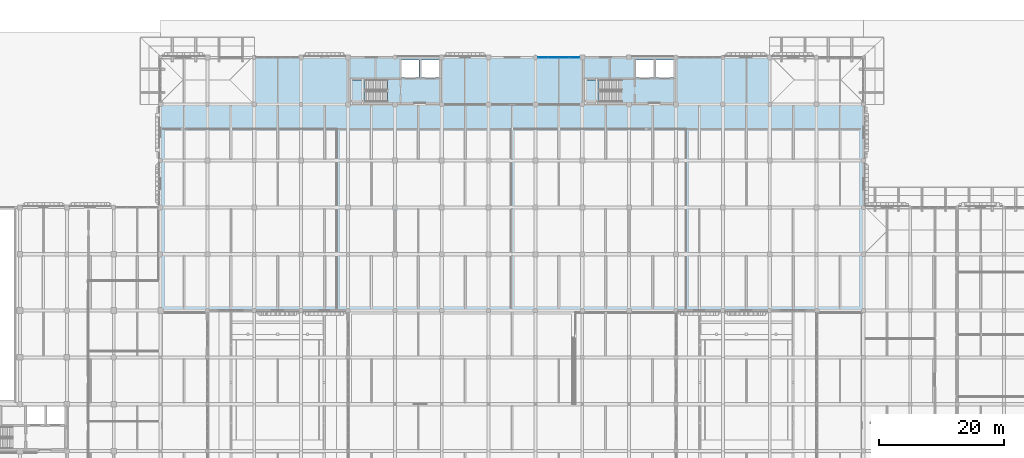
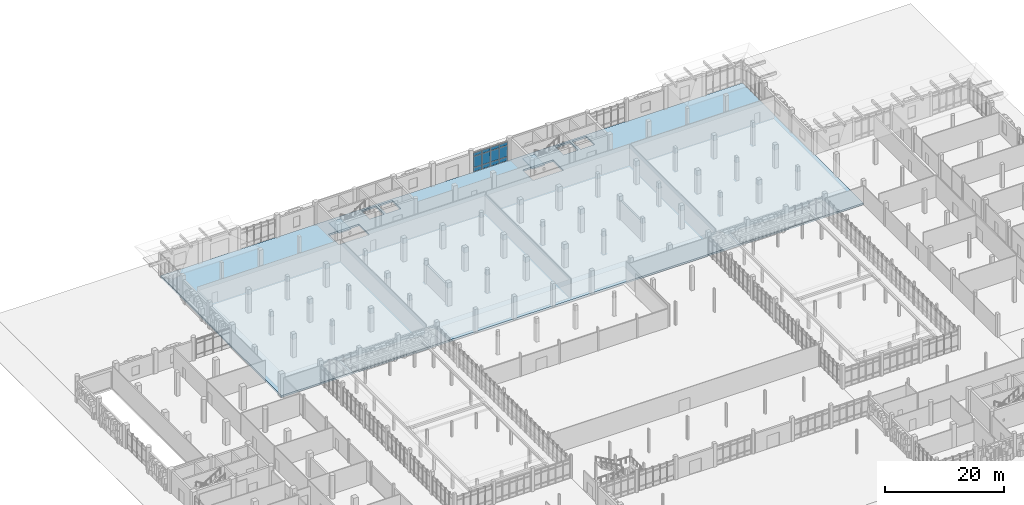
# One storey, part 80 of 125: 12 plates, 3 slabs, 3 elements without a shape of their own.
"""IFC4 building model written with IfcOpenShell, lengths in metres."""

from ifc_helpers import new_model, si_unit, direction, frame, origin, origin_2d, place, context, subcontext, project, spatial, polyline, rectangle, outline, extrude, material, layer, layer_set, type_object, element, aggregate, save


model = new_model("IFC4")

# Units and contexts
model_context = context("Model", 3, precision=1e-05, world=origin(), true_north=direction((0.0, 1.0)))
body_context = subcontext(model_context, "Body", "Model", "MODEL_VIEW")
ifc_project = project(units=[si_unit("LENGTHUNIT", "METRE"), si_unit("AREAUNIT", "SQUARE_METRE"), si_unit("VOLUMEUNIT", "CUBIC_METRE"), si_unit("PLANEANGLEUNIT", "RADIAN"), si_unit("MASSUNIT", "GRAM", prefix="KILO")], contexts=[model_context])

# Site, building, storey
site_placement = place(None, origin())
site = spatial("IfcSite", under=ifc_project, at=site_placement, CompositionType="ELEMENT")
building_placement = place(site_placement, origin())
building = spatial("IfcBuilding", under=site, at=building_placement, Name="Dalvernix Boulevard General Hospital", CompositionType="ELEMENT")
storey_placement = place(building_placement, origin())
storey = spatial("IfcBuildingStorey", under=building, at=storey_placement, Name="L00", CompositionType="ELEMENT", Elevation=0.0)

# Curtain wall, plates
ifc_material_1 = material(Name="Thermally broken aluminium and solar-control glass curtain wall", Category="aluminium")
ifc_layer_1 = layer(ifc_material_1, 0.159912109375)
ifc_layer_set_1 = layer_set([ifc_layer_1], Name="Thermally broken aluminium and solar-control glass curtain wall (CW-CW-A-67x40)")
curtain_wall_type = type_object("IfcCurtainWallType", Name="CW-CW-A-67x40", PredefinedType="USERDEFINED", material=ifc_layer_set_1)
curtain_wall_placement = place(storey_placement, origin())
curtain_wall = element("IfcCurtainWall", 1, at=curtain_wall_placement, inside=storey, type_object=curtain_wall_type, Name="L00 curtain wall CW-A-67x40 12-15", ObjectType="GLAZED FACADE", PredefinedType="USERDEFINED")
ifc_material_2 = material(Name="Double-glazed solar-control low-emissivity glass", Category="glass")
ifc_layer_2 = layer(ifc_material_2, 0.02392578125)
ifc_layer_set_2 = layer_set([ifc_layer_2], Name="Double-glazed solar-control low-emissivity glass (PLT-CW-P1)")
plate_type = type_object("IfcPlateType", Name="PLT-CW-P1", PredefinedType="CURTAIN_PANEL", material=ifc_layer_set_2)
plate_1_placement = place(storey_placement, frame((91.238037109375, 117.0, 0.06005859375), z_axis=(0.0, 0.0, 1.0), x_axis=(1.0, 0.0, 0.0)))
plate_1 = element("IfcPlate", 2, at=plate_1_placement, type_object=plate_type, Name="CW-A-67x40 panel 1.1", PredefinedType="CURTAIN_PANEL", context=body_context, shape_type="SweptSolid", body=[
    extrude(rectangle(XDim=1.586181640625, YDim=0.02392578125, at=origin_2d()), origin(), (0.0, 0.0, 1.0), 0.81005859375),
])
plate_2_placement = place(storey_placement, frame((91.238037109375, 117.0, 0.93017578125), z_axis=(0.0, 0.0, 1.0), x_axis=(1.0, 0.0, 0.0)))
plate_2 = element("IfcPlate", 3, at=plate_2_placement, type_object=plate_type, Name="CW-A-67x40 panel 1.2", PredefinedType="CURTAIN_PANEL", context=body_context, shape_type="SweptSolid", body=[
    extrude(rectangle(XDim=1.586181640625, YDim=0.02392578125, at=origin_2d()), origin(), (0.0, 0.0, 1.0), 2.239990234375),
])
plate_3_placement = place(storey_placement, frame((91.238037109375, 117.0, 3.22998046875), z_axis=(0.0, 0.0, 1.0), x_axis=(1.0, 0.0, 0.0)))
plate_3 = element("IfcPlate", 4, at=plate_3_placement, type_object=plate_type, Name="CW-A-67x40 panel 1.3", PredefinedType="CURTAIN_PANEL", context=body_context, shape_type="SweptSolid", body=[
    extrude(rectangle(XDim=1.586181640625, YDim=0.02392578125, at=origin_2d()), origin(), (0.0, 0.0, 1.0), 0.659912109375),
])
plate_4_placement = place(storey_placement, frame((92.8994140625, 117.0, 0.06005859375), z_axis=(0.0, 0.0, 1.0), x_axis=(1.0, 0.0, 0.0)))
plate_4 = element("IfcPlate", 5, at=plate_4_placement, type_object=plate_type, Name="CW-A-67x40 panel 2.1", PredefinedType="CURTAIN_PANEL", context=body_context, shape_type="SweptSolid", body=[
    extrude(rectangle(XDim=1.6162109375, YDim=0.02392578125, at=origin_2d()), origin(), (0.0, 0.0, 1.0), 0.81005859375),
])
plate_5_placement = place(storey_placement, frame((92.8994140625, 117.0, 0.93017578125), z_axis=(0.0, 0.0, 1.0), x_axis=(1.0, 0.0, 0.0)))
plate_5 = element("IfcPlate", 6, at=plate_5_placement, type_object=plate_type, Name="CW-A-67x40 panel 2.2", PredefinedType="CURTAIN_PANEL", context=body_context, shape_type="SweptSolid", body=[
    extrude(rectangle(XDim=1.6162109375, YDim=0.02392578125, at=origin_2d()), origin(), (0.0, 0.0, 1.0), 2.239990234375),
])
plate_6_placement = place(storey_placement, frame((92.8994140625, 117.0, 3.22998046875), z_axis=(0.0, 0.0, 1.0), x_axis=(1.0, 0.0, 0.0)))
plate_6 = element("IfcPlate", 7, at=plate_6_placement, type_object=plate_type, Name="CW-A-67x40 panel 2.3", PredefinedType="CURTAIN_PANEL", context=body_context, shape_type="SweptSolid", body=[
    extrude(rectangle(XDim=1.6162109375, YDim=0.02392578125, at=origin_2d()), origin(), (0.0, 0.0, 1.0), 0.659912109375),
])
plate_7_placement = place(storey_placement, frame((94.57568359375, 117.0, 0.06005859375), z_axis=(0.0, 0.0, 1.0), x_axis=(1.0, 0.0, 0.0)))
plate_7 = element("IfcPlate", 8, at=plate_7_placement, type_object=plate_type, Name="CW-A-67x40 panel 3.1", PredefinedType="CURTAIN_PANEL", context=body_context, shape_type="SweptSolid", body=[
    extrude(rectangle(XDim=1.6162109375, YDim=0.02392578125, at=origin_2d()), origin(), (0.0, 0.0, 1.0), 0.81005859375),
])
plate_8_placement = place(storey_placement, frame((94.57568359375, 117.0, 0.93017578125), z_axis=(0.0, 0.0, 1.0), x_axis=(1.0, 0.0, 0.0)))
plate_8 = element("IfcPlate", 9, at=plate_8_placement, type_object=plate_type, Name="CW-A-67x40 panel 3.2", PredefinedType="CURTAIN_PANEL", context=body_context, shape_type="SweptSolid", body=[
    extrude(rectangle(XDim=1.6162109375, YDim=0.02392578125, at=origin_2d()), origin(), (0.0, 0.0, 1.0), 2.239990234375),
])
plate_9_placement = place(storey_placement, frame((94.57568359375, 117.0, 3.22998046875), z_axis=(0.0, 0.0, 1.0), x_axis=(1.0, 0.0, 0.0)))
plate_9 = element("IfcPlate", 10, at=plate_9_placement, type_object=plate_type, Name="CW-A-67x40 panel 3.3", PredefinedType="CURTAIN_PANEL", context=body_context, shape_type="SweptSolid", body=[
    extrude(rectangle(XDim=1.6162109375, YDim=0.02392578125, at=origin_2d()), origin(), (0.0, 0.0, 1.0), 0.659912109375),
])
plate_10_placement = place(storey_placement, frame((96.23681640625, 117.0, 0.06005859375), z_axis=(0.0, 0.0, 1.0), x_axis=(1.0, 0.0, 0.0)))
plate_10 = element("IfcPlate", 11, at=plate_10_placement, type_object=plate_type, Name="CW-A-67x40 panel 4.1", PredefinedType="CURTAIN_PANEL", context=body_context, shape_type="SweptSolid", body=[
    extrude(rectangle(XDim=1.586181640625, YDim=0.02392578125, at=origin_2d()), origin(), (0.0, 0.0, 1.0), 0.81005859375),
])
plate_11_placement = place(storey_placement, frame((96.23681640625, 117.0, 0.93017578125), z_axis=(0.0, 0.0, 1.0), x_axis=(1.0, 0.0, 0.0)))
plate_11 = element("IfcPlate", 12, at=plate_11_placement, type_object=plate_type, Name="CW-A-67x40 panel 4.2", PredefinedType="CURTAIN_PANEL", context=body_context, shape_type="SweptSolid", body=[
    extrude(rectangle(XDim=1.586181640625, YDim=0.02392578125, at=origin_2d()), origin(), (0.0, 0.0, 1.0), 2.239990234375),
])
plate_12_placement = place(storey_placement, frame((96.23681640625, 117.0, 3.22998046875), z_axis=(0.0, 0.0, 1.0), x_axis=(1.0, 0.0, 0.0)))
plate_12 = element("IfcPlate", 13, at=plate_12_placement, type_object=plate_type, Name="CW-A-67x40 panel 4.3", PredefinedType="CURTAIN_PANEL", context=body_context, shape_type="SweptSolid", body=[
    extrude(rectangle(XDim=1.586181640625, YDim=0.02392578125, at=origin_2d()), origin(), (0.0, 0.0, 1.0), 0.659912109375),
])
aggregate(curtain_wall, [plate_1, plate_2, plate_3, plate_4, plate_5, plate_6, plate_7, plate_8, plate_9, plate_10, plate_11, plate_12])

# Slab
ifc_material_3 = material(Name="Concrete C35/45", Category="concrete")
ifc_layer_3 = layer(ifc_material_3, 0.360107421875)
ifc_layer_set_3 = layer_set([ifc_layer_3], Name="Concrete C35/45 (SLB-FS-01)")
slab_type_1 = type_object("IfcSlabType", Name="SLB-FS-01", PredefinedType="FLOOR", material=ifc_layer_set_3)
slab_1_placement = place(storey_placement, frame((0.0, 0.0, -0.360107421875)))
element("IfcSlab", 14, at=slab_1_placement, inside=storey, type_object=slab_type_1, Name="L00 V3 structural floor slab 1", PredefinedType="FLOOR", context=body_context, shape_type="SweptSolid", body=[
    extrude(outline(polyline([(30.0, 100.5), (30.0, 109.5), (30.0, 117.0), (37.5, 117.0), (45.0, 117.0), (52.5, 117.0), (60.0, 117.0), (67.5, 117.0), (75.0, 117.0), (82.5, 117.0), (90.0, 117.0), (97.5, 117.0), (105.0, 117.0), (112.5, 117.0), (120.0, 117.0), (127.5, 117.0), (135.0, 117.0), (142.5, 117.0), (142.5, 109.5), (142.5, 100.5), (142.5, 93.0), (142.5, 85.5), (142.5, 76.5), (135.0, 76.5), (127.5, 76.5), (120.0, 76.5), (112.5, 76.5), (105.0, 76.5), (97.5, 76.5), (90.0, 76.5), (82.5, 76.5), (75.0, 76.5), (67.5, 76.5), (60.0, 76.5), (52.5, 76.5), (45.0, 76.5), (37.5, 76.5), (30.0, 76.5), (30.0, 85.5), (30.0, 93.0), (30.0, 100.5)]), holes=[polyline([(60.39990234375, 113.39990234375), (60.39990234375, 109.89990234375), (66.2900390625, 109.89990234375), (66.2900390625, 113.39990234375), (60.39990234375, 113.39990234375)]), polyline([(71.39990234375, 116.60009765625), (68.60009765625, 116.60009765625), (68.60009765625, 113.800048828125), (71.39990234375, 113.800048828125), (71.39990234375, 116.60009765625)]), polyline([(74.60009765625, 113.800048828125), (74.60009765625, 116.60009765625), (71.800048828125, 116.60009765625), (71.800048828125, 113.800048828125), (74.60009765625, 113.800048828125)]), polyline([(97.89990234375, 109.89990234375), (103.7900390625, 109.89990234375), (103.7900390625, 113.39990234375), (97.89990234375, 113.39990234375), (97.89990234375, 109.89990234375)]), polyline([(106.10009765625, 116.60009765625), (106.10009765625, 113.800048828125), (108.89990234375, 113.800048828125), (108.89990234375, 116.60009765625), (106.10009765625, 116.60009765625)]), polyline([(112.10009765625, 116.60009765625), (109.300048828125, 116.60009765625), (109.300048828125, 113.800048828125), (112.10009765625, 113.800048828125), (112.10009765625, 116.60009765625)])]), origin(), (0.0, 0.0, 1.0), 0.360107421875),
])

# Stair, slab
ifc_material_4 = material(Name="Precast concrete C40/50", Category="concrete")
stair_type = type_object("IfcStairType", Name="IFCSTAIR-STC-165x480", PredefinedType="HALF_TURN_STAIR", material=ifc_material_4)
stair_1_placement = place(storey_placement, origin())
stair_1 = element("IfcStair", 15, at=stair_1_placement, inside=storey, type_object=stair_type, Name="L00 Core C3 Exit Stair ST-03", PredefinedType="HALF_TURN_STAIR")
ifc_layer_4 = layer(ifc_material_4, 0.199951171875)
ifc_layer_set_4 = layer_set([ifc_layer_4], Name="Precast concrete C40/50 (SLB-LND-01)")
slab_type_2 = type_object("IfcSlabType", Name="SLB-LND-01", PredefinedType="LANDING", material=ifc_layer_set_4)
slab_2_placement = place(storey_placement, frame((0.0, 0.0, 2.199951171875)))
slab_2 = element("IfcSlab", 16, at=slab_2_placement, type_object=slab_type_2, Name="ST-03 landing 1", PredefinedType="LANDING", context=body_context, shape_type="SweptSolid", body=[
    extrude(outline(polyline([(62.7099609375, 113.39990234375), (60.39990234375, 113.39990234375), (60.39990234375, 109.89990234375), (62.7099609375, 109.89990234375), (62.7099609375, 113.39990234375)])), origin(), (0.0, 0.0, 1.0), 0.199951171875),
])
aggregate(stair_1, [slab_2])

stair_2_placement = place(storey_placement, origin())
stair_2 = element("IfcStair", 17, at=stair_2_placement, inside=storey, type_object=stair_type, Name="L00 Core C4 Exit Stair ST-04", PredefinedType="HALF_TURN_STAIR")
slab_3_placement = place(storey_placement, frame((0.0, 0.0, 2.199951171875)))
slab_3 = element("IfcSlab", 18, at=slab_3_placement, type_object=slab_type_2, Name="ST-04 landing 1", PredefinedType="LANDING", context=body_context, shape_type="SweptSolid", body=[
    extrude(outline(polyline([(100.2099609375, 113.39990234375), (97.89990234375, 113.39990234375), (97.89990234375, 109.89990234375), (100.2099609375, 109.89990234375), (100.2099609375, 113.39990234375)])), origin(), (0.0, 0.0, 1.0), 0.199951171875),
])
aggregate(stair_2, [slab_3])

save(model, "model.ifc")
